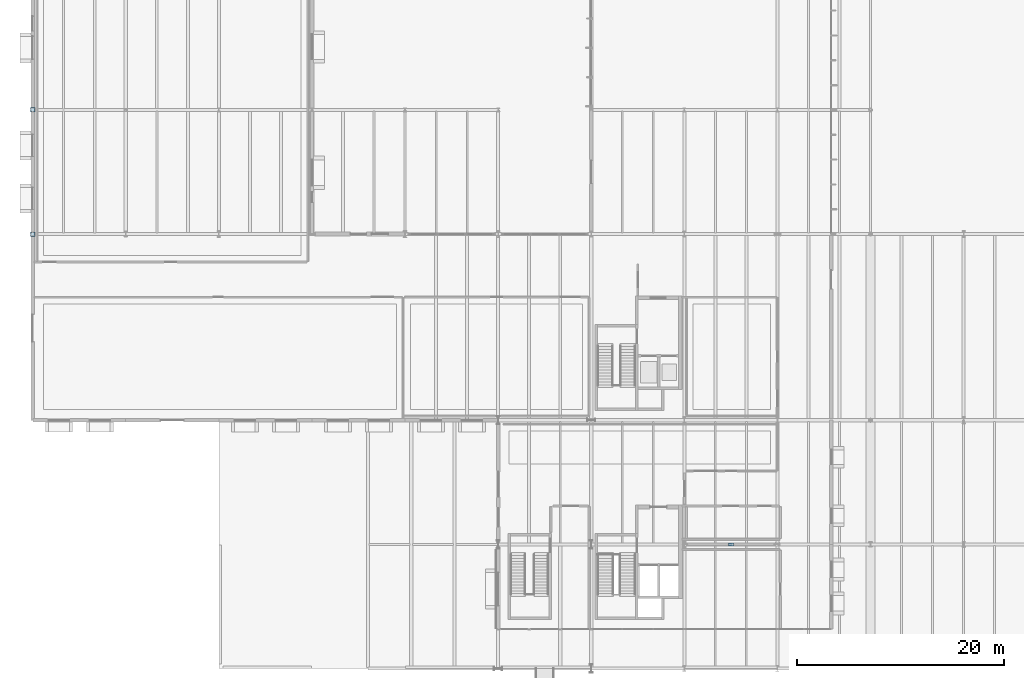
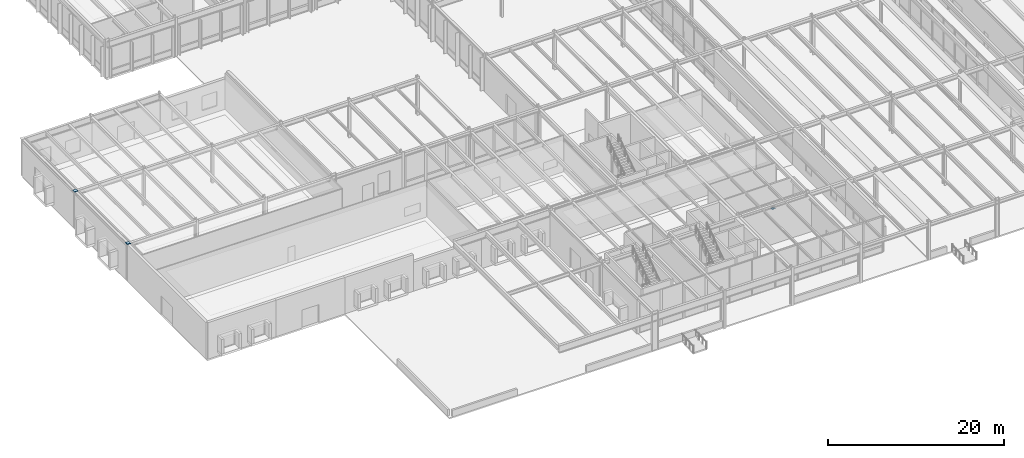
# One storey, part 112 of 143: 4 plates.
"""IFC4 building model written with IfcOpenShell, lengths in metres."""

from ifc_helpers import new_model, si_unit, direction, frame, origin, origin_2d, place, context, subcontext, project, spatial, rectangle, extrude, material, layer, layer_set, type_object, element, save


model = new_model("IFC4")

# Units and contexts
model_context = context("Model", 3, precision=1e-05, world=origin(), true_north=direction((0.0, 1.0)))
body_context = subcontext(model_context, "Body", "Model", "MODEL_VIEW")
ifc_project = project(units=[si_unit("LENGTHUNIT", "METRE"), si_unit("AREAUNIT", "SQUARE_METRE"), si_unit("VOLUMEUNIT", "CUBIC_METRE"), si_unit("PLANEANGLEUNIT", "RADIAN"), si_unit("MASSUNIT", "GRAM", prefix="KILO")], contexts=[model_context])

# Site, building, storey
site_placement = place(None, origin())
site = spatial("IfcSite", under=ifc_project, at=site_placement, CompositionType="ELEMENT")
building_placement = place(site_placement, origin())
building = spatial("IfcBuilding", under=site, at=building_placement, Name="Montelvaro Courts of Justice", CompositionType="ELEMENT")
storey_placement = place(building_placement, origin())
storey = spatial("IfcBuildingStorey", under=building, at=storey_placement, Name="L00", CompositionType="ELEMENT", Elevation=0.0)

# Plates
ifc_material = material(Name="Steel S355", Category="steel")
ifc_layer_1 = layer(ifc_material, 0.011962890625)
ifc_layer_set_1 = layer_set([ifc_layer_1], Name="Steel S355")
plate_type_1 = type_object("IfcPlateType", Name="EndCapPlate_12", PredefinedType="USERDEFINED", material=ifc_layer_set_1)
for number, where, z_axis, x_axis, name in (
    (1, (67.419921875, 12.0, 4.51416015625), (0.0, 0.0, 1.0), (1.0, 0.0, 0.0), "Brace End Cap Plate CP-01 CBF1-L00-1B"),
    (2, (67.580078125, 12.0, 4.51416015625), (0.0, 0.0, 1.0), (1.0, 0.0, 0.0), "Brace End Cap Plate CP-01 CBF1-L00-2B"),
):
    element("IfcPlate", number, at=place(storey_placement, frame(where, z_axis=z_axis, x_axis=x_axis)), inside=storey, type_object=plate_type_1, Name=name, ObjectType="GUSSET PLATE", PredefinedType="USERDEFINED", context=body_context, shape_type="SweptSolid", body=[
        extrude(rectangle(XDim=0.300048828125, YDim=0.300048828125, at=origin_2d()), origin(), (0.0, 0.0, 1.0), 0.011962890625),
    ])
ifc_layer_2 = layer(ifc_material, 0.035888671875)
ifc_layer_set_2 = layer_set([ifc_layer_2], Name="Steel S355")
plate_type_2 = type_object("IfcPlateType", Name="EndCapPlate_36", PredefinedType="USERDEFINED", material=ifc_layer_set_2)
for number, where, z_axis, x_axis, name in (
    (3, (0.0, 42.0, 5.1318359375), (0.0, 0.0, 1.0), (1.0, 0.0, 0.0), "Column End Cap Plate CP-02 01"),
    (4, (0.0, 54.0, 5.1318359375), (0.0, 0.0, 1.0), (1.0, 0.0, 0.0), "Column End Cap Plate CP-02 02"),
):
    element("IfcPlate", number, at=place(storey_placement, frame(where, z_axis=z_axis, x_axis=x_axis)), inside=storey, type_object=plate_type_2, Name=name, ObjectType="GUSSET PLATE", PredefinedType="USERDEFINED", context=body_context, shape_type="SweptSolid", body=[
        extrude(rectangle(XDim=0.43994140625, YDim=0.43994140625, at=origin_2d()), origin(), (0.0, 0.0, 1.0), 0.035888671875),
    ])

save(model, "model.ifc")
